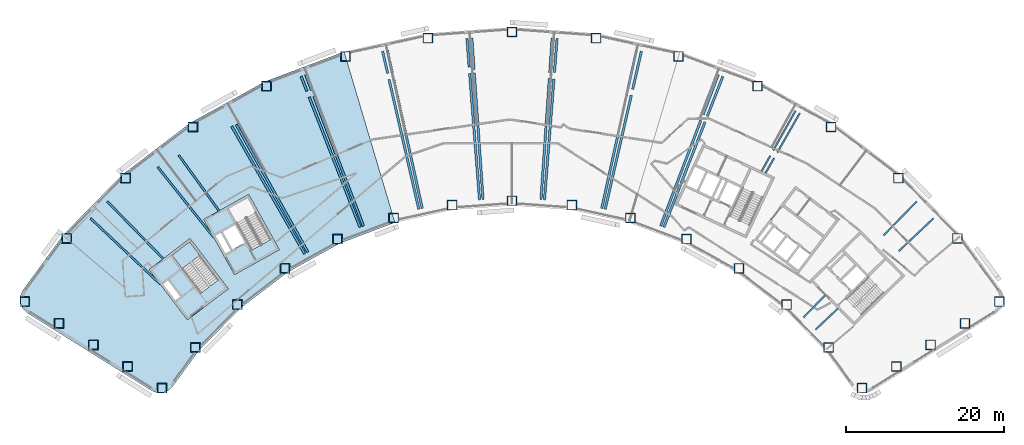
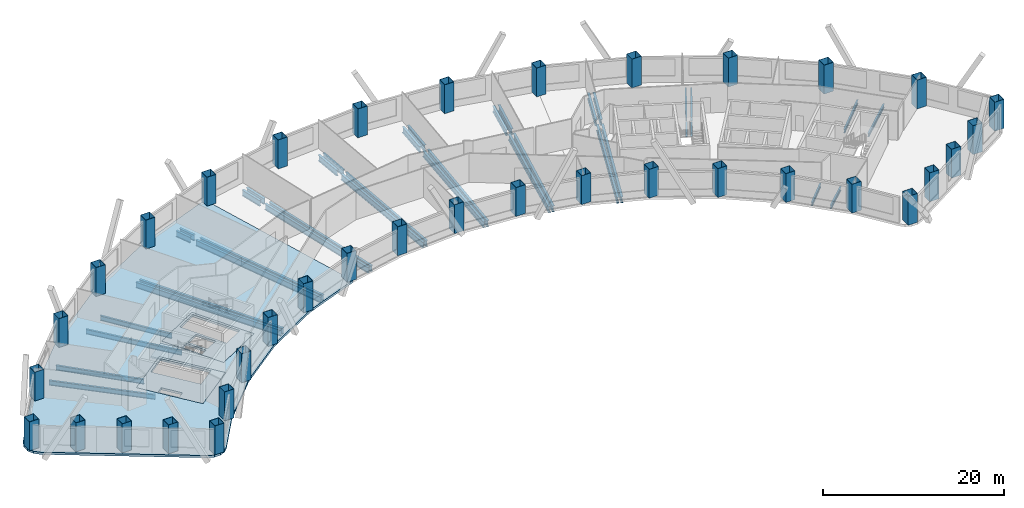
# One storey, part 1 of 11: 38 beams, 36 columns, 4 slabs, 1 element without a shape of its own.
"""IFC4 building model written with IfcOpenShell, lengths in metres."""

from ifc_helpers import new_model, si_unit, direction, frame, origin, origin_2d, place, context, subcontext, project, spatial, polyline, hollow_rectangle, i_section, outline, extrude, material, layer, layer_set, material_profile, profile_set, type_object, element, aggregate, save


model = new_model("IFC4")

# Units and contexts
model_context = context("Model", 3, precision=1e-05, world=origin(), true_north=direction((0.0, 1.0)))
body_context = subcontext(model_context, "Body", "Model", "MODEL_VIEW")
ifc_project = project(units=[si_unit("LENGTHUNIT", "METRE"), si_unit("AREAUNIT", "SQUARE_METRE"), si_unit("VOLUMEUNIT", "CUBIC_METRE"), si_unit("PLANEANGLEUNIT", "RADIAN"), si_unit("MASSUNIT", "GRAM", prefix="KILO")], contexts=[model_context])

# Site, building, storey
site_placement = place(None, origin())
site = spatial("IfcSite", under=ifc_project, at=site_placement, CompositionType="ELEMENT")
building_placement = place(site_placement, origin())
building = spatial("IfcBuilding", under=site, at=building_placement, Name="Tuul Gate Civic Tower", CompositionType="ELEMENT")
storey_placement = place(building_placement, frame((0.0, 0.0, 65.39990234375)))
storey = spatial("IfcBuildingStorey", under=building, at=storey_placement, Name="Level 14", CompositionType="ELEMENT", Elevation=65.39990234375)

# Columns
ifc_material_1 = material(Name="Steel S355", Category="steel")
ifc_material_profile_1 = material_profile(ifc_material_1, hollow_rectangle(XDim=1.199951171875, YDim=1.199951171875, WallThickness=0.0400390625, at=origin_2d()), Name="BOX1200x1200x40")
ifc_profile_set_1 = profile_set([ifc_material_profile_1], Name="Steel S355")
column_type = type_object("IfcColumnType", Name="STR-COLUMN-BOX1200x1200x40", PredefinedType="COLUMN", material=ifc_profile_set_1)
for number, where, z_axis, x_axis, name in (
    (1, (66.47900390625, -15.4208984375, 0.0), (0.0, 0.0, 1.0), (1.0, 0.0, 0.0), "Column"),
    (2, (61.179931640625, -7.408935546875, 0.0), (0.0, 0.0, 1.0), (1.0, 0.0, 0.0), "Column"),
    (3, (53.7060546875, 0.216064453125, 0.0), (0.0, 0.0, 1.0), (1.0, 0.0, 0.0), "Column"),
    (4, (45.2109375, 6.68408203125, 0.0), (0.0, 0.0, 1.0), (1.0, 0.0, 0.0), "Column"),
    (5, (35.8720703125, 11.861083984375, 0.0), (0.0, 0.0, 1.0), (1.0, 0.0, 0.0), "Column"),
    (6, (25.885009765625, 15.636962890625, 0.0), (0.0, 0.0, 1.0), (1.0, 0.0, 0.0), "Column"),
    (7, (15.4580078125, 17.93505859375, 0.0), (0.0, 0.0, 1.0), (1.0, 0.0, 0.0), "Column"),
    (8, (4.80810546875, 18.70703125, 0.0), (0.0, 0.0, 1.0), (1.0, 0.0, 0.0), "Column"),
    (9, (-5.841064453125, 17.93505859375, 0.0), (0.0, 0.0, 1.0), (1.0, 0.0, 0.0), "Column"),
    (10, (-16.26806640625, 15.636962890625, 0.0), (0.0, 0.0, 1.0), (1.0, 0.0, 0.0), "Column"),
    (11, (-26.2548828125, 11.861083984375, 0.0), (0.0, 0.0, 1.0), (1.0, 0.0, 0.0), "Column"),
    (12, (-35.593994140625, 6.68408203125, 0.0), (0.0, 0.0, 1.0), (1.0, 0.0, 0.0), "Column"),
    (13, (-44.089111328125, 0.216064453125, 0.0), (0.0, 0.0, 1.0), (1.0, 0.0, 0.0), "Column"),
    (14, (-51.56396484375, -7.408935546875, 0.0), (0.0, 0.0, 1.0), (1.0, 0.0, 0.0), "Column"),
    (15, (-56.863037109375, -15.4208984375, 0.0), (0.0, 0.0, 1.0), (1.0, 0.0, 0.0), "Column"),
    (16, (-52.52001953125, -18.156005859375, 0.0), (0.0, 0.0, 1.0), (1.0, 0.0, 0.0), "Column"),
    (17, (-48.177978515625, -20.89111328125, 0.0), (0.0, 0.0, 1.0), (1.0, 0.0, 0.0), "Column"),
    (18, (-43.8349609375, -23.625, 0.0), (0.0, 0.0, 1.0), (1.0, 0.0, 0.0), "Column"),
    (19, (-39.492919921875, -26.360107421875, 0.0), (0.0, 0.0, 1.0), (1.0, 0.0, 0.0), "Column"),
    (20, (-35.27294921875, -21.218017578125, 0.0), (0.0, 0.0, 1.0), (1.0, 0.0, 0.0), "Column"),
    (21, (-29.9580078125, -15.7958984375, 0.0), (0.0, 0.0, 1.0), (1.0, 0.0, 0.0), "Column"),
    (22, (-23.91796875, -11.197021484375, 0.0), (0.0, 0.0, 1.0), (1.0, 0.0, 0.0), "Column"),
    (23, (-17.278076171875, -7.51708984375, 0.0), (0.0, 0.0, 1.0), (1.0, 0.0, 0.0), "Column"),
    (24, (-10.177001953125, -4.8310546875, 0.0), (0.0, 0.0, 1.0), (1.0, 0.0, 0.0), "Column"),
    (25, (-2.763916015625, -3.197998046875, 0.0), (0.0, 0.0, 1.0), (1.0, 0.0, 0.0), "Column"),
    (26, (4.80810546875, -2.64892578125, 0.0), (0.0, 0.0, 1.0), (1.0, 0.0, 0.0), "Column"),
    (27, (12.3798828125, -3.197998046875, 0.0), (0.0, 0.0, 1.0), (1.0, 0.0, 0.0), "Column"),
    (28, (19.7939453125, -4.8310546875, 0.0), (0.0, 0.0, 1.0), (1.0, 0.0, 0.0), "Column"),
    (29, (26.89501953125, -7.51708984375, 0.0), (0.0, 0.0, 1.0), (1.0, 0.0, 0.0), "Column"),
    (30, (33.534912109375, -11.197021484375, 0.0), (0.0, 0.0, 1.0), (1.0, 0.0, 0.0), "Column"),
    (31, (39.574951171875, -15.7958984375, 0.0), (0.0, 0.0, 1.0), (1.0, 0.0, 0.0), "Column"),
    (32, (44.888916015625, -21.218017578125, 0.0), (0.0, 0.0, 1.0), (1.0, 0.0, 0.0), "Column"),
    (33, (49.10888671875, -26.360107421875, 0.0), (0.0, 0.0, 1.0), (1.0, 0.0, 0.0), "Column"),
    (34, (53.451904296875, -23.625, 0.0), (0.0, 0.0, 1.0), (1.0, 0.0, 0.0), "Column"),
    (35, (57.7939453125, -20.89111328125, 0.0), (0.0, 0.0, 1.0), (1.0, 0.0, 0.0), "Column"),
    (36, (62.136962890625, -18.156005859375, 0.0), (0.0, 0.0, 1.0), (1.0, 0.0, 0.0), "Column"),
):
    element("IfcColumn", number, at=place(storey_placement, frame(where, z_axis=z_axis, x_axis=x_axis)), inside=storey, type_object=column_type, Name=name, PredefinedType="COLUMN", context=body_context, shape_type="SweptSolid", body=[
        extrude(hollow_rectangle(XDim=1.199951171875, YDim=1.199951171875, WallThickness=0.0400390625, at=origin_2d()), origin(), (0.0, 0.0, 1.0), 3.900146484375),
    ])

# Beams
ifc_material_2 = material(Name="Steel S355", Category="steel")
ifc_material_profile_2 = material_profile(ifc_material_2, i_section(OverallWidth=0.199951171875, OverallDepth=0.5, WebThickness=0.010009765625, FlangeThickness=0.01611328125, at=origin_2d()), Name="PG500x200x10x16")
ifc_profile_set_2 = profile_set([ifc_material_profile_2], Name="Steel S355")
beam_type_1 = type_object("IfcBeamType", Name="STR-FLOOR BEAM-PG500x200x10x16", PredefinedType="BEAM", material=ifc_profile_set_2)
beam_1_placement = place(storey_placement, frame((43.22998046875, -18.95361328125, -0.5498046875), z_axis=(0.727446722431, 0.686164168421, 0.0), x_axis=(-0.686164168421, 0.727446722431, 0.0)))
element("IfcBeam", 37, at=beam_1_placement, inside=storey, type_object=beam_type_1, Name="Floor beam", PredefinedType="BEAM", context=body_context, shape_type="SweptSolid", body=[
    extrude(i_section(OverallWidth=0.199951171875, OverallDepth=0.5, WebThickness=0.010009765625, FlangeThickness=0.01611328125, at=origin_2d()), origin(), (0.0, 0.0, 1.0), 3.85595703125),
])
beam_2_placement = place(storey_placement, frame((53.781005859375, -9.002197265625, -0.5498046875), z_axis=(0.727474503839, 0.686134714371, 0.0), x_axis=(-0.686134714371, 0.727474503839, 0.0)))
element("IfcBeam", 38, at=beam_2_placement, inside=storey, type_object=beam_type_1, Name="Floor beam", PredefinedType="BEAM", context=body_context, shape_type="SweptSolid", body=[
    extrude(i_section(OverallWidth=0.199951171875, OverallDepth=0.5, WebThickness=0.010009765625, FlangeThickness=0.01611328125, at=origin_2d()), origin(), (0.0, 0.0, 1.0), 6.000244140625),
])
beam_3_placement = place(storey_placement, frame((41.711181640625, -17.404052734375, -0.5498046875), z_axis=(0.698667935287, 0.715446095944, 0.0), x_axis=(-0.715446095944, 0.698667935287, 0.0)))
element("IfcBeam", 39, at=beam_3_placement, inside=storey, type_object=beam_type_1, Name="Floor beam", PredefinedType="BEAM", context=body_context, shape_type="SweptSolid", body=[
    extrude(i_section(OverallWidth=0.199951171875, OverallDepth=0.5, WebThickness=0.010009765625, FlangeThickness=0.01611328125, at=origin_2d()), origin(), (0.0, 0.0, 1.0), 3.85595703125),
])
beam_4_placement = place(storey_placement, frame((51.844970703125, -7.027099609375, -0.5498046875), z_axis=(0.698696427015, 0.715418271277, 0.0), x_axis=(-0.715418271277, 0.698696427015, 0.0)))
element("IfcBeam", 40, at=beam_4_placement, inside=storey, type_object=beam_type_1, Name="Floor beam", PredefinedType="BEAM", context=body_context, shape_type="SweptSolid", body=[
    extrude(i_section(OverallWidth=0.199951171875, OverallDepth=0.5, WebThickness=0.010009765625, FlangeThickness=0.01611328125, at=origin_2d()), origin(), (0.0, 0.0, 1.0), 6.000732421875),
])
beam_5_placement = place(storey_placement, frame((36.89697265625, 0.85888671875, -0.5498046875), z_axis=(0.496871435809, 0.867824162072, 0.0), x_axis=(-0.867824162072, 0.496871435809, 0.0)))
element("IfcBeam", 41, at=beam_5_placement, inside=storey, type_object=beam_type_1, Name="Floor beam", PredefinedType="BEAM", context=body_context, shape_type="SweptSolid", body=[
    extrude(i_section(OverallWidth=0.199951171875, OverallDepth=0.5, WebThickness=0.010009765625, FlangeThickness=0.01611328125, at=origin_2d()), origin(), (0.0, 0.0, 1.0), 2.18896484375),
])
beam_6_placement = place(storey_placement, frame((38.382080078125, 3.452880859375, -0.5498046875), z_axis=(0.49683531964, 0.867844839334, 0.0), x_axis=(-0.867844839334, 0.49683531964, 0.0)))
element("IfcBeam", 42, at=beam_6_placement, inside=storey, type_object=beam_type_1, Name="Floor beam", PredefinedType="BEAM", context=body_context, shape_type="SweptSolid", body=[
    extrude(i_section(OverallWidth=0.199951171875, OverallDepth=0.5, WebThickness=0.010009765625, FlangeThickness=0.01611328125, at=origin_2d()), origin(), (0.0, 0.0, 1.0), 5.737548828125),
])
beam_7_placement = place(storey_placement, frame((36.398193359375, 1.091552734375, -0.5498046875), z_axis=(0.48945432883, 0.872028933, 0.0), x_axis=(-0.872028933, 0.48945432883, 0.0)))
element("IfcBeam", 43, at=beam_7_placement, inside=storey, type_object=beam_type_1, Name="Floor beam", PredefinedType="BEAM", context=body_context, shape_type="SweptSolid", body=[
    extrude(i_section(OverallWidth=0.199951171875, OverallDepth=0.5, WebThickness=0.010009765625, FlangeThickness=0.01611328125, at=origin_2d()), origin(), (0.0, 0.0, 1.0), 2.22705078125),
])
beam_8_placement = place(storey_placement, frame((37.8798828125, 3.7314453125, -0.5498046875), z_axis=(0.489446762149, 0.872033180001, 0.0), x_axis=(-0.872033180001, 0.489446762149, 0.0)))
element("IfcBeam", 44, at=beam_8_placement, inside=storey, type_object=beam_type_1, Name="Floor beam", PredefinedType="BEAM", context=body_context, shape_type="SweptSolid", body=[
    extrude(i_section(OverallWidth=0.199951171875, OverallDepth=0.5, WebThickness=0.010009765625, FlangeThickness=0.01611328125, at=origin_2d()), origin(), (0.0, 0.0, 1.0), 5.73681640625),
])
ifc_material_3 = material(Name="Steel S355", Category="steel")
ifc_material_profile_3 = material_profile(ifc_material_3, i_section(OverallWidth=0.25, OverallDepth=0.64990234375, WebThickness=0.011962890625, FlangeThickness=0.02001953125, at=origin_2d()), Name="PG650x250x12x20")
ifc_profile_set_3 = profile_set([ifc_material_profile_3], Name="Steel S355")
beam_type_2 = type_object("IfcBeamType", Name="STR-FLOOR BEAM-PG650x250x12x20", PredefinedType="BEAM", material=ifc_profile_set_3)
beam_9_placement = place(storey_placement, frame((-32.2705078125, -3.930419921875, -0.625), z_axis=(-0.586095045128, 0.810242308249, 0.0), x_axis=(-0.810242308249, -0.586095045128, 0.0)))
element("IfcBeam", 45, at=beam_9_placement, inside=storey, type_object=beam_type_2, Name="Floor beam", PredefinedType="BEAM", context=body_context, shape_type="SweptSolid", body=[
    extrude(i_section(OverallWidth=0.25, OverallDepth=0.64990234375, WebThickness=0.011962890625, FlangeThickness=0.02001953125, at=origin_2d()), origin(), (0.0, 0.0, 1.0), 8.68310546875),
])
beam_10_placement = place(storey_placement, frame((-32.937255859375, -7.282958984375, -0.625), z_axis=(-0.623148588073, 0.782103469614, 0.0), x_axis=(-0.782103469614, -0.623148588073, 0.0)))
element("IfcBeam", 46, at=beam_10_placement, inside=storey, type_object=beam_type_2, Name="Floor beam", PredefinedType="BEAM", context=body_context, shape_type="SweptSolid", body=[
    extrude(i_section(OverallWidth=0.25, OverallDepth=0.64990234375, WebThickness=0.011962890625, FlangeThickness=0.02001953125, at=origin_2d()), origin(), (0.0, 0.0, 1.0), 11.38720703125),
])
beam_11_placement = place(storey_placement, frame((-39.3271484375, -9.998291015625, -0.625), z_axis=(-0.698689441283, 0.715425093661, 0.0), x_axis=(-0.715425093661, -0.698689441283, 0.0)))
element("IfcBeam", 47, at=beam_11_placement, inside=storey, type_object=beam_type_2, Name="Floor beam", PredefinedType="BEAM", context=body_context, shape_type="SweptSolid", body=[
    extrude(i_section(OverallWidth=0.25, OverallDepth=0.64990234375, WebThickness=0.011962890625, FlangeThickness=0.02001953125, at=origin_2d()), origin(), (0.0, 0.0, 1.0), 10.1533203125),
])
beam_12_placement = place(storey_placement, frame((-39.73046875, -13.1845703125, -0.625), z_axis=(-0.727473106363, 0.686136196041, 0.0), x_axis=(-0.686136196041, -0.727473106363, 0.0)))
element("IfcBeam", 48, at=beam_12_placement, inside=storey, type_object=beam_type_2, Name="Floor beam", PredefinedType="BEAM", context=body_context, shape_type="SweptSolid", body=[
    extrude(i_section(OverallWidth=0.25, OverallDepth=0.64990234375, WebThickness=0.011962890625, FlangeThickness=0.02001953125, at=origin_2d()), origin(), (0.0, 0.0, 1.0), 12.095703125),
])
ifc_material_4 = material(Name="Steel S355", Category="steel")
ifc_material_profile_4 = material_profile(ifc_material_4, i_section(OverallWidth=0.300048828125, OverallDepth=0.800048828125, WebThickness=0.013916015625, FlangeThickness=0.02490234375, at=origin_2d()), Name="PG800x300x14x25")
ifc_profile_set_4 = profile_set([ifc_material_profile_4], Name="Steel S355")
beam_type_3 = type_object("IfcBeamType", Name="STR-FLOOR BEAM-PG800x300x14x25", PredefinedType="BEAM", material=ifc_profile_set_4)
beam_13_placement = place(storey_placement, frame((24.032958984375, -6.0068359375, -0.699951171875), z_axis=(0.364047908347, 0.931380223339, 0.0), x_axis=(-0.931380223339, 0.364047908347, 0.0)))
element("IfcBeam", 49, at=beam_13_placement, inside=storey, type_object=beam_type_3, Name="Floor beam", PredefinedType="BEAM", context=body_context, shape_type="SweptSolid", body=[
    extrude(i_section(OverallWidth=0.300048828125, OverallDepth=0.800048828125, WebThickness=0.013916015625, FlangeThickness=0.02490234375, at=origin_2d()), origin(), (0.0, 0.0, 1.0), 14.302490234375),
])
beam_14_placement = place(storey_placement, frame((29.53076171875, 8.0595703125, -0.699951171875), z_axis=(0.36407366151, 0.931370156809, 0.0), x_axis=(-0.931370156809, 0.36407366151, 0.0)))
element("IfcBeam", 50, at=beam_14_placement, inside=storey, type_object=beam_type_3, Name="Floor beam", PredefinedType="BEAM", context=body_context, shape_type="SweptSolid", body=[
    extrude(i_section(OverallWidth=0.300048828125, OverallDepth=0.800048828125, WebThickness=0.013916015625, FlangeThickness=0.02490234375, at=origin_2d()), origin(), (0.0, 0.0, 1.0), 5.39892578125),
])
beam_15_placement = place(storey_placement, frame((23.61328125, -5.847900390625, -0.699951171875), z_axis=(0.356115293958, 0.934442024638, 0.0), x_axis=(-0.934442024638, 0.356115293958, 0.0)))
element("IfcBeam", 51, at=beam_15_placement, inside=storey, type_object=beam_type_3, Name="Floor beam", PredefinedType="BEAM", context=body_context, shape_type="SweptSolid", body=[
    extrude(i_section(OverallWidth=0.300048828125, OverallDepth=0.800048828125, WebThickness=0.013916015625, FlangeThickness=0.02490234375, at=origin_2d()), origin(), (0.0, 0.0, 1.0), 14.301513671875),
])
beam_16_placement = place(storey_placement, frame((28.9912109375, 8.263671875, -0.699951171875), z_axis=(0.356104403337, 0.934446174974, 0.0), x_axis=(-0.934446174974, 0.356104403337, 0.0)))
element("IfcBeam", 52, at=beam_16_placement, inside=storey, type_object=beam_type_3, Name="Floor beam", PredefinedType="BEAM", context=body_context, shape_type="SweptSolid", body=[
    extrude(i_section(OverallWidth=0.300048828125, OverallDepth=0.800048828125, WebThickness=0.013916015625, FlangeThickness=0.02490234375, at=origin_2d()), origin(), (0.0, 0.0, 1.0), 5.398193359375),
])
beam_17_placement = place(storey_placement, frame((16.603515625, -3.71875, -0.699951171875), z_axis=(0.223345401289, 0.974739366048, 0.0), x_axis=(-0.974739366048, 0.223345401289, 0.0)))
element("IfcBeam", 53, at=beam_17_placement, inside=storey, type_object=beam_type_3, Name="Floor beam", PredefinedType="BEAM", context=body_context, shape_type="SweptSolid", body=[
    extrude(i_section(OverallWidth=0.300048828125, OverallDepth=0.800048828125, WebThickness=0.013916015625, FlangeThickness=0.02490234375, at=origin_2d()), origin(), (0.0, 0.0, 1.0), 14.77001953125),
])
beam_18_placement = place(storey_placement, frame((20.0810546875, 11.4580078125, -0.699951171875), z_axis=(0.22336929547, 0.974733890783, 0.0), x_axis=(-0.974733890783, 0.22336929547, 0.0)))
element("IfcBeam", 54, at=beam_18_placement, inside=storey, type_object=beam_type_3, Name="Floor beam", PredefinedType="BEAM", context=body_context, shape_type="SweptSolid", body=[
    extrude(i_section(OverallWidth=0.300048828125, OverallDepth=0.800048828125, WebThickness=0.013916015625, FlangeThickness=0.02490234375, at=origin_2d()), origin(), (0.0, 0.0, 1.0), 4.930419921875),
])
beam_19_placement = place(storey_placement, frame((16.165283203125, -3.6220703125, -0.699951171875), z_axis=(0.215073055081, 0.976597962817, 0.0), x_axis=(-0.976597962817, 0.215073055081, 0.0)))
element("IfcBeam", 55, at=beam_19_placement, inside=storey, type_object=beam_type_3, Name="Floor beam", PredefinedType="BEAM", context=body_context, shape_type="SweptSolid", body=[
    extrude(i_section(OverallWidth=0.300048828125, OverallDepth=0.800048828125, WebThickness=0.013916015625, FlangeThickness=0.02490234375, at=origin_2d()), origin(), (0.0, 0.0, 1.0), 14.76953125),
])
beam_20_placement = place(storey_placement, frame((19.513671875, 11.5830078125, -0.699951171875), z_axis=(0.21510549217, 0.976590818735, 0.0), x_axis=(-0.976590818735, 0.21510549217, 0.0)))
element("IfcBeam", 56, at=beam_20_placement, inside=storey, type_object=beam_type_3, Name="Floor beam", PredefinedType="BEAM", context=body_context, shape_type="SweptSolid", body=[
    extrude(i_section(OverallWidth=0.300048828125, OverallDepth=0.800048828125, WebThickness=0.013916015625, FlangeThickness=0.02490234375, at=origin_2d()), origin(), (0.0, 0.0, 1.0), 4.930419921875),
])
beam_21_placement = place(storey_placement, frame((8.918701171875, -2.5458984375, -0.699951171875), z_axis=(0.077834338488, 0.996966306227, 0.0), x_axis=(-0.996966306227, 0.077834338488, 0.0)))
element("IfcBeam", 57, at=beam_21_placement, inside=storey, type_object=beam_type_3, Name="Floor beam", PredefinedType="BEAM", context=body_context, shape_type="SweptSolid", body=[
    extrude(i_section(OverallWidth=0.300048828125, OverallDepth=0.800048828125, WebThickness=0.013916015625, FlangeThickness=0.02490234375, at=origin_2d()), origin(), (0.0, 0.0, 1.0), 15.357177734375),
])
beam_22_placement = place(storey_placement, frame((10.17626953125, 13.562255859375, -0.699951171875), z_axis=(0.077852748267, 0.996964868783, 0.0), x_axis=(-0.996964868783, 0.077852748267, 0.0)))
element("IfcBeam", 58, at=beam_22_placement, inside=storey, type_object=beam_type_3, Name="Floor beam", PredefinedType="BEAM", context=body_context, shape_type="SweptSolid", body=[
    extrude(i_section(OverallWidth=0.300048828125, OverallDepth=0.800048828125, WebThickness=0.013916015625, FlangeThickness=0.02490234375, at=origin_2d()), origin(), (0.0, 0.0, 1.0), 4.34326171875),
])
beam_23_placement = place(storey_placement, frame((8.47119140625, -2.513427734375, -0.699951171875), z_axis=(0.069362419638, 0.997591527, 0.0), x_axis=(-0.997591527, 0.069362419638, 0.0)))
element("IfcBeam", 59, at=beam_23_placement, inside=storey, type_object=beam_type_3, Name="Floor beam", PredefinedType="BEAM", context=body_context, shape_type="SweptSolid", body=[
    extrude(i_section(OverallWidth=0.300048828125, OverallDepth=0.800048828125, WebThickness=0.013916015625, FlangeThickness=0.02490234375, at=origin_2d()), origin(), (0.0, 0.0, 1.0), 15.356689453125),
])
beam_24_placement = place(storey_placement, frame((9.591796875, 13.6044921875, -0.699951171875), z_axis=(0.069365396344, 0.997591320025, 0.0), x_axis=(-0.997591320025, 0.069365396344, 0.0)))
element("IfcBeam", 60, at=beam_24_placement, inside=storey, type_object=beam_type_3, Name="Floor beam", PredefinedType="BEAM", context=body_context, shape_type="SweptSolid", body=[
    extrude(i_section(OverallWidth=0.300048828125, OverallDepth=0.800048828125, WebThickness=0.013916015625, FlangeThickness=0.02490234375, at=origin_2d()), origin(), (0.0, 0.0, 1.0), 4.34326171875),
])
beam_25_placement = place(storey_placement, frame((1.145263671875, -2.513427734375, -0.699951171875), z_axis=(-0.069377489129, 0.997590479106, 0.0), x_axis=(-0.997590479106, -0.069377489129, 0.0)))
element("IfcBeam", 61, at=beam_25_placement, inside=storey, type_object=beam_type_3, Name="Floor beam", PredefinedType="BEAM", context=body_context, shape_type="SweptSolid", body=[
    extrude(i_section(OverallWidth=0.300048828125, OverallDepth=0.800048828125, WebThickness=0.013916015625, FlangeThickness=0.02490234375, at=origin_2d()), origin(), (0.0, 0.0, 1.0), 16.046630859375),
])
beam_26_placement = place(storey_placement, frame((0.001953125, 13.92626953125, -0.699951171875), z_axis=(-0.069343903698, 0.997592814238, 0.0), x_axis=(-0.997592814238, -0.069343903698, 0.0)))
element("IfcBeam", 62, at=beam_26_placement, inside=storey, type_object=beam_type_3, Name="Floor beam", PredefinedType="BEAM", context=body_context, shape_type="SweptSolid", body=[
    extrude(i_section(OverallWidth=0.300048828125, OverallDepth=0.800048828125, WebThickness=0.013916015625, FlangeThickness=0.02490234375, at=origin_2d()), origin(), (0.0, 0.0, 1.0), 4.020751953125),
])
beam_27_placement = place(storey_placement, frame((0.69775390625, -2.5458984375, -0.699951171875), z_axis=(-0.077843259755, 0.996965609693, 0.0), x_axis=(-0.996965609693, -0.077843259755, 0.0)))
element("IfcBeam", 63, at=beam_27_placement, inside=storey, type_object=beam_type_3, Name="Floor beam", PredefinedType="BEAM", context=body_context, shape_type="SweptSolid", body=[
    extrude(i_section(OverallWidth=0.300048828125, OverallDepth=0.800048828125, WebThickness=0.013916015625, FlangeThickness=0.02490234375, at=origin_2d()), origin(), (0.0, 0.0, 1.0), 16.0517578125),
])
beam_28_placement = place(storey_placement, frame((-0.614013671875, 14.254638671875, -0.699951171875), z_axis=(-0.077883510772, 0.996962466069, 0.0), x_axis=(-0.996962466069, -0.077883510772, 0.0)))
element("IfcBeam", 64, at=beam_28_placement, inside=storey, type_object=beam_type_3, Name="Floor beam", PredefinedType="BEAM", context=body_context, shape_type="SweptSolid", body=[
    extrude(i_section(OverallWidth=0.300048828125, OverallDepth=0.800048828125, WebThickness=0.013916015625, FlangeThickness=0.02490234375, at=origin_2d()), origin(), (0.0, 0.0, 1.0), 3.648681640625),
])
beam_29_placement = place(storey_placement, frame((-6.548828125, -3.6220703125, -0.699951171875), z_axis=(-0.215076377698, 0.976597231082, 0.0), x_axis=(-0.976597231082, -0.215076377698, 0.0)))
element("IfcBeam", 65, at=beam_29_placement, inside=storey, type_object=beam_type_3, Name="Floor beam", PredefinedType="BEAM", context=body_context, shape_type="SweptSolid", body=[
    extrude(i_section(OverallWidth=0.300048828125, OverallDepth=0.800048828125, WebThickness=0.013916015625, FlangeThickness=0.02490234375, at=origin_2d()), origin(), (0.0, 0.0, 1.0), 16.776123046875),
])
beam_30_placement = place(storey_placement, frame((-10.330810546875, 13.551025390625, -0.699951171875), z_axis=(-0.215085467296, 0.976595229232, 0.0), x_axis=(-0.976595229232, -0.215085467296, 0.0)))
element("IfcBeam", 66, at=beam_30_placement, inside=storey, type_object=beam_type_3, Name="Floor beam", PredefinedType="BEAM", context=body_context, shape_type="SweptSolid", body=[
    extrude(i_section(OverallWidth=0.300048828125, OverallDepth=0.800048828125, WebThickness=0.013916015625, FlangeThickness=0.02490234375, at=origin_2d()), origin(), (0.0, 0.0, 1.0), 2.914794921875),
])
beam_31_placement = place(storey_placement, frame((-6.987060546875, -3.71875, -0.699951171875), z_axis=(-0.223354633621, 0.974737250566, 0.0), x_axis=(-0.974737250566, -0.223354633621, 0.0)))
element("IfcBeam", 67, at=beam_31_placement, inside=storey, type_object=beam_type_3, Name="Floor beam", PredefinedType="BEAM", context=body_context, shape_type="SweptSolid", body=[
    extrude(i_section(OverallWidth=0.300048828125, OverallDepth=0.800048828125, WebThickness=0.013916015625, FlangeThickness=0.02490234375, at=origin_2d()), origin(), (0.0, 0.0, 1.0), 16.83984375),
])
beam_32_placement = place(storey_placement, frame((-10.927001953125, 13.475341796875, -0.699951171875), z_axis=(-0.22343190264, 0.974719541654, 0.0), x_axis=(-0.974719541654, -0.22343190264, 0.0)))
element("IfcBeam", 68, at=beam_32_placement, inside=storey, type_object=beam_type_3, Name="Floor beam", PredefinedType="BEAM", context=body_context, shape_type="SweptSolid", body=[
    extrude(i_section(OverallWidth=0.300048828125, OverallDepth=0.800048828125, WebThickness=0.013916015625, FlangeThickness=0.02490234375, at=origin_2d()), origin(), (0.0, 0.0, 1.0), 2.860595703125),
])
beam_33_placement = place(storey_placement, frame((-13.996826171875, -5.84814453125, -0.699951171875), z_axis=(-0.35611818863, 0.934440921475, 0.0), x_axis=(-0.934440921475, -0.35611818863, 0.0)))
element("IfcBeam", 69, at=beam_33_placement, inside=storey, type_object=beam_type_3, Name="Floor beam", PredefinedType="BEAM", context=body_context, shape_type="SweptSolid", body=[
    extrude(i_section(OverallWidth=0.300048828125, OverallDepth=0.800048828125, WebThickness=0.013916015625, FlangeThickness=0.02490234375, at=origin_2d()), origin(), (0.0, 0.0, 1.0), 17.600341796875),
])
beam_34_placement = place(storey_placement, frame((-20.552734375, 11.354248046875, -0.699951171875), z_axis=(-0.356160424157, 0.934424824298, 0.0), x_axis=(-0.934424824298, -0.356160424157, 0.0)))
element("IfcBeam", 70, at=beam_34_placement, inside=storey, type_object=beam_type_3, Name="Floor beam", PredefinedType="BEAM", context=body_context, shape_type="SweptSolid", body=[
    extrude(i_section(OverallWidth=0.300048828125, OverallDepth=0.800048828125, WebThickness=0.013916015625, FlangeThickness=0.02490234375, at=origin_2d()), origin(), (0.0, 0.0, 1.0), 2.0908203125),
])
beam_35_placement = place(storey_placement, frame((-14.41650390625, -6.0068359375, -0.699951171875), z_axis=(-0.364044924277, 0.931381389715, 0.0), x_axis=(-0.931381389715, -0.364044924277, 0.0)))
element("IfcBeam", 71, at=beam_35_placement, inside=storey, type_object=beam_type_3, Name="Floor beam", PredefinedType="BEAM", context=body_context, shape_type="SweptSolid", body=[
    extrude(i_section(OverallWidth=0.300048828125, OverallDepth=0.800048828125, WebThickness=0.013916015625, FlangeThickness=0.02490234375, at=origin_2d()), origin(), (0.0, 0.0, 1.0), 17.688720703125),
])
beam_36_placement = place(storey_placement, frame((-21.15087890625, 11.222412109375, -0.699951171875), z_axis=(-0.364022397887, 0.931390194192, 0.0), x_axis=(-0.931390194192, -0.364022397887, 0.0)))
element("IfcBeam", 72, at=beam_36_placement, inside=storey, type_object=beam_type_3, Name="Floor beam", PredefinedType="BEAM", context=body_context, shape_type="SweptSolid", body=[
    extrude(i_section(OverallWidth=0.300048828125, OverallDepth=0.800048828125, WebThickness=0.013916015625, FlangeThickness=0.02490234375, at=origin_2d()), origin(), (0.0, 0.0, 1.0), 2.002685546875),
])
beam_37_placement = place(storey_placement, frame((-21.037353515625, -9.143310546875, -0.699951171875), z_axis=(-0.489444105622, 0.872034671026, 0.0), x_axis=(-0.872034671026, -0.489444105622, 0.0)))
element("IfcBeam", 73, at=beam_37_placement, inside=storey, type_object=beam_type_3, Name="Floor beam", PredefinedType="BEAM", context=body_context, shape_type="SweptSolid", body=[
    extrude(i_section(OverallWidth=0.300048828125, OverallDepth=0.800048828125, WebThickness=0.013916015625, FlangeThickness=0.02490234375, at=origin_2d()), origin(), (0.0, 0.0, 1.0), 18.50244140625),
])
beam_38_placement = place(storey_placement, frame((-21.429931640625, -9.36083984375, -0.699951171875), z_axis=(-0.496834534075, 0.867845289064, 0.0), x_axis=(-0.867845289064, -0.496834534075, 0.0)))
element("IfcBeam", 74, at=beam_38_placement, inside=storey, type_object=beam_type_3, Name="Floor beam", PredefinedType="BEAM", context=body_context, shape_type="SweptSolid", body=[
    extrude(i_section(OverallWidth=0.300048828125, OverallDepth=0.800048828125, WebThickness=0.013916015625, FlangeThickness=0.02490234375, at=origin_2d()), origin(), (0.0, 0.0, 1.0), 18.59228515625),
])

# Slabs
ifc_material_5 = material(Name="Concrete C40/50", Category="concrete")
ifc_layer_1 = layer(ifc_material_5, 0.300048828125)
ifc_layer_set_1 = layer_set([ifc_layer_1], Name="Concrete C40/50")
slab_type_1 = type_object("IfcSlabType", Name="Core floor slab 300", PredefinedType="FLOOR", material=ifc_layer_set_1)
slab_1_placement = place(storey_placement, frame((0.0, 0.0, -0.2998046875)))
element("IfcSlab", 75, at=slab_1_placement, inside=storey, type_object=slab_type_1, Name="FLOOR SLAB", PredefinedType="FLOOR", context=body_context, shape_type="SweptSolid", body=[
    extrude(outline(polyline([(-31.10009765625, -13.7890625), (-35.946044921875, -7.423828125), (-41.11767578125, -11.361572265625), (-36.271484375, -17.726806640625), (-31.10009765625, -13.7890625)]), holes=[polyline([(-37.19287109375, -14.783203125), (-38.737548828125, -12.75439453125), (-39.45361328125, -13.299560546875), (-37.908935546875, -15.328369140625), (-37.19287109375, -14.783203125)]), polyline([(-32.33935546875, -12.65771484375), (-34.56591796875, -14.352783203125), (-38.229736328125, -9.54052734375), (-36.003173828125, -7.845458984375), (-32.33935546875, -12.65771484375)])]), origin(), (0.0, 0.0, 1.0), 0.2998046875),
])
slab_2_placement = place(storey_placement, frame((0.0, 0.0, -0.2998046875)))
element("IfcSlab", 76, at=slab_2_placement, inside=storey, type_object=slab_type_1, Name="FLOOR SLAB", PredefinedType="FLOOR", context=body_context, shape_type="SweptSolid", body=[
    extrude(outline(polyline([(-24.638916015625, -8.846923828125), (-28.51708984375, -1.849853515625), (-34.2021484375, -5.0009765625), (-30.32421875, -11.998046875), (-24.638916015625, -8.846923828125)]), holes=[polyline([(-29.0185546875, -7.958740234375), (-30.254638671875, -5.728515625), (-31.785400390625, -6.576904296875), (-30.54931640625, -8.80712890625), (-29.0185546875, -7.958740234375)]), polyline([(-30.8115234375, -8.95263671875), (-32.047607421875, -6.72216796875), (-32.8349609375, -7.158447265625), (-31.5986328125, -9.388916015625), (-30.8115234375, -8.95263671875)]), polyline([(-25.702392578125, -7.548828125), (-28.14990234375, -8.905517578125), (-31.08203125, -3.615234375), (-28.63427734375, -2.2587890625), (-25.702392578125, -7.548828125)])]), origin(), (0.0, 0.0, 1.0), 0.2998046875),
])

# Stair, slab
ifc_material_6 = material(Name="Concrete C40/50", Category="concrete")
stair_type = type_object("IfcStairType", Name="Exit stair", PredefinedType="HALF_TURN_STAIR", material=ifc_material_6)
stair_placement = place(storey_placement, origin())
stair = element("IfcStair", 77, at=stair_placement, inside=storey, type_object=stair_type, Name="Level 14 ST-1", PredefinedType="HALF_TURN_STAIR")
ifc_material_7 = material(Name="Concrete C40/50", Category="concrete")
ifc_layer_2 = layer(ifc_material_7, 0.199951171875)
ifc_layer_set_2 = layer_set([ifc_layer_2], Name="Concrete C40/50")
slab_type_2 = type_object("IfcSlabType", Name="Exit stair landing", PredefinedType="LANDING", material=ifc_layer_set_2)
slab_3_placement = place(storey_placement, frame((0.0, 0.0, 1.900146484375)))
slab_3 = element("IfcSlab", 78, at=slab_3_placement, type_object=slab_type_2, Name="ST-1 landing 1", PredefinedType="LANDING", context=body_context, shape_type="SweptSolid", body=[
    extrude(outline(polyline([(-34.699462890625, -9.554931640625), (-36.9287109375, -11.252197265625), (-38.23193359375, -9.540283203125), (-36.0029296875, -7.843017578125), (-34.699462890625, -9.554931640625)])), origin(), (0.0, 0.0, 1.0), 0.199951171875),
])
aggregate(stair, [slab_3])

# Slab
ifc_material_8 = material(Name="Concrete C35/45", Category="concrete")
ifc_layer_3 = layer(ifc_material_8, 0.300048828125)
ifc_layer_set_3 = layer_set([ifc_layer_3], Name="Concrete C35/45")
slab_type_3 = type_object("IfcSlabType", Name="STR-FLOOR-SLAB-300", PredefinedType="FLOOR", material=ifc_layer_set_3)
slab_4_placement = place(storey_placement, frame((0.0, 0.0, -0.2998046875)))
element("IfcSlab", 79, at=slab_4_placement, inside=storey, type_object=slab_type_3, Name="Level 14/slab/W", PredefinedType="FLOOR", context=body_context, shape_type="SweptSolid", body=[
    extrude(outline(polyline([(-10.006103515625, -5.407958984375), (-16.43994140625, 16.214111328125), (-26.508056640625, 12.406982421875), (-35.923095703125, 7.18798828125), (-44.487060546875, 0.6669921875), (-52.02294921875, -7.02001953125), (-57.10302734375, -13.97607421875), (-57.43994140625, -14.718994140625), (-57.451904296875, -15.534912109375), (-57.136962890625, -16.2880859375), (-56.548095703125, -16.85205078125), (-40.818115234375, -26.680908203125), (-40.1240234375, -26.950927734375), (-39.37890625, -26.948974609375), (-38.68701171875, -26.674072265625), (-38.14306640625, -26.1650390625), (-34.81396484375, -21.60693359375), (-29.56005859375, -16.2470703125), (-23.589111328125, -11.700927734375), (-17.02490234375, -8.06298828125), (-10.006103515625, -5.407958984375)]), holes=[polyline([(-31.10009765625, -13.7890625), (-36.27197265625, -17.72705078125), (-41.117919921875, -11.362060546875), (-35.946044921875, -7.424072265625), (-31.10009765625, -13.7890625)]), polyline([(-24.638916015625, -8.846923828125), (-30.323974609375, -11.998046875), (-34.201904296875, -5.0009765625), (-28.51708984375, -1.85009765625), (-24.638916015625, -8.846923828125)])]), origin(), (0.0, 0.0, 1.0), 0.2998046875),
])

save(model, "model.ifc")
